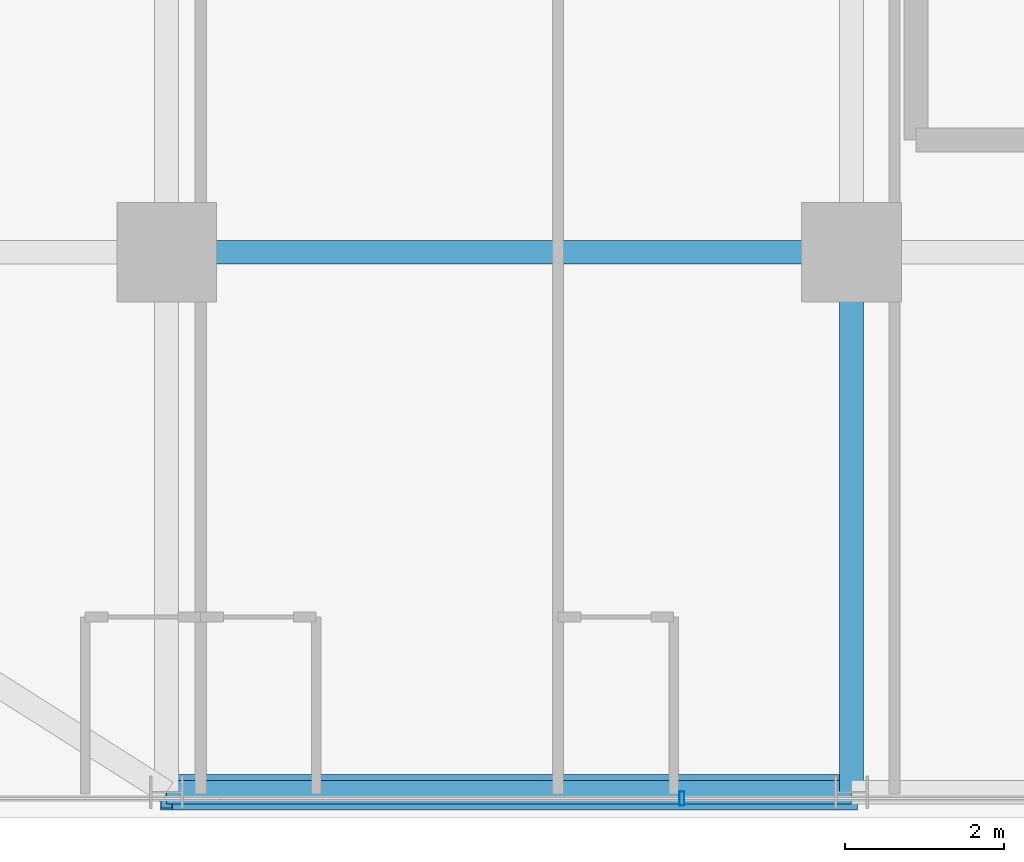
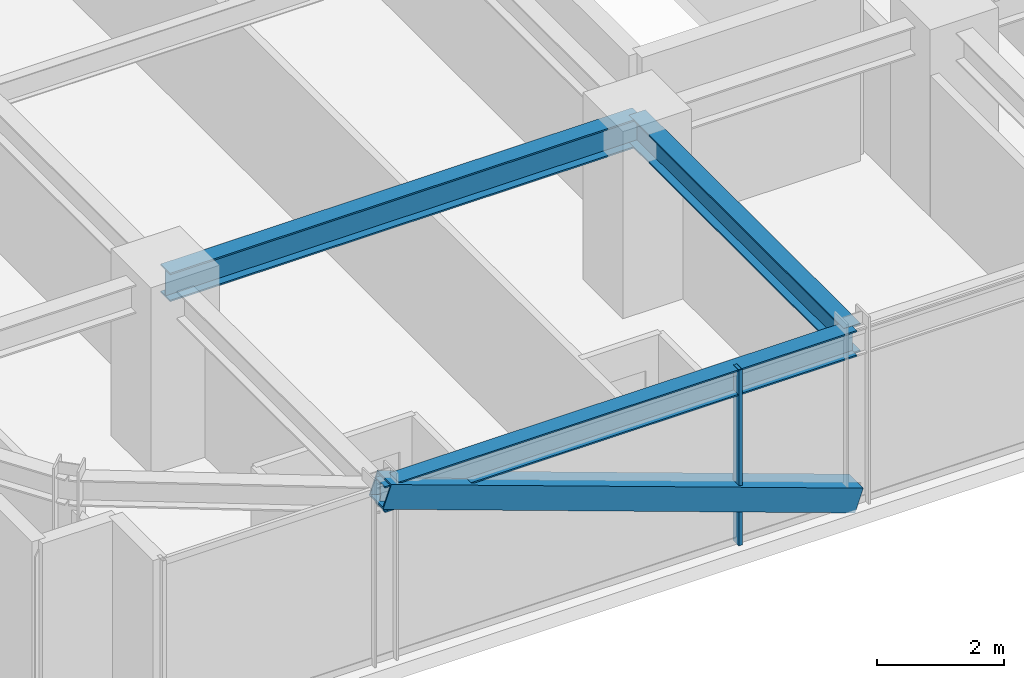
# One storey, part 3 of 41: 3 beams, 2 members, 1 element without a shape of its own.
"""IFC4 building model written with IfcOpenShell, lengths in metres."""

from ifc_helpers import new_model, si_unit, direction, frame, origin, origin_2d, place, context, subcontext, project, spatial, hollow_rectangle, i_section, extrude, source, transform, mapped, material, material_profile, profile_set, type_object, element, aggregate, save


model = new_model("IFC4")

# Units and contexts
model_context = context("Model", 3, precision=1e-05, world=origin(), true_north=direction((0.0, 1.0)))
body_context = subcontext(model_context, "Body", "Model", "MODEL_VIEW")
ifc_project = project(units=[si_unit("LENGTHUNIT", "METRE"), si_unit("AREAUNIT", "SQUARE_METRE"), si_unit("VOLUMEUNIT", "CUBIC_METRE"), si_unit("PLANEANGLEUNIT", "RADIAN"), si_unit("MASSUNIT", "GRAM", prefix="KILO")], contexts=[model_context])

# Site, building, storey
site_placement = place(None, origin())
site = spatial("IfcSite", under=ifc_project, at=site_placement, CompositionType="ELEMENT")
building_placement = place(site_placement, origin())
building = spatial("IfcBuilding", under=site, at=building_placement, Name="Nahalor Promenade Grand Hotel", CompositionType="ELEMENT")
storey_placement = place(building_placement, frame((0.0, 0.0, 113.85009765625)))
storey = spatial("IfcBuildingStorey", under=building, at=storey_placement, Name="L28", CompositionType="ELEMENT", Elevation=113.85009765625)

# Beams
ifc_material_1 = material(Name="Steel S355JR", Category="steel")
ifc_material_profile_1 = material_profile(ifc_material_1, i_section(OverallWidth=0.3, OverallDepth=0.5, WebThickness=0.0145, FlangeThickness=0.028, at=origin_2d()), Name="HEB 500")
ifc_profile_set_1 = profile_set([ifc_material_profile_1], Name="Steel S355JR")
beam_type_1 = type_object("IfcBeamType", Name="Beam-Spandrel-HEB500", PredefinedType="SPANDREL", material=ifc_profile_set_1)
shared_shape_1 = source(origin(), body_context, "Body", "SweptSolid", [
    extrude(i_section(OverallWidth=0.3, OverallDepth=0.5, WebThickness=0.0145, FlangeThickness=0.028, at=origin_2d()), origin(), (0.0, 0.0, 1.0), 8.60009765625),
])
beam_1_placement = place(storey_placement, frame((-17.0, -23.780029296875, 3.1298828125), z_axis=(1.0, 0.0, 0.0), x_axis=(0.0, 1.0, 0.0)))
element("IfcBeam", 1, at=beam_1_placement, inside=storey, type_object=beam_type_1, Name="BM-L28-SP-S-0", PredefinedType="SPANDREL", context=body_context, shape_type="MappedRepresentation", body=[
    mapped(shared_shape_1, transform((0.0, 0.0, 0.0), scale=1.0)),
])
ifc_material_profile_2 = material_profile(ifc_material_1, i_section(OverallWidth=0.3, OverallDepth=0.55, WebThickness=0.015, FlangeThickness=0.029, at=origin_2d()), Name="HEB 550")
ifc_profile_set_2 = profile_set([ifc_material_profile_2], Name="Steel S355JR")
beam_type_2 = type_object("IfcBeamType", Name="Beam-Girder-HEB550", PredefinedType="BEAM", material=ifc_profile_set_2)
shared_shape_2 = source(origin(), body_context, "Body", "SweptSolid", [
    extrude(i_section(OverallWidth=0.3, OverallDepth=0.55, WebThickness=0.015, FlangeThickness=0.029, at=origin_2d()), origin(), (0.0, 0.0, 1.0), 6.780029296875),
])
beam_2_placement = place(storey_placement, frame((-8.39990234375, -23.780029296875, 3.10498046875), z_axis=(0.0, 1.0, 0.0), x_axis=(-1.0, 0.0, 0.0)))
element("IfcBeam", 2, at=beam_2_placement, inside=storey, type_object=beam_type_2, Name="BM-L28-GY-1-0", PredefinedType="BEAM", context=body_context, shape_type="MappedRepresentation", body=[
    mapped(shared_shape_2, transform((0.0, 0.0, 0.0), scale=1.0)),
])
shared_shape_3 = source(origin(), body_context, "Body", "SweptSolid", [
    extrude(i_section(OverallWidth=0.3, OverallDepth=0.55, WebThickness=0.015, FlangeThickness=0.029, at=origin_2d()), origin(), (0.0, 0.0, 1.0), 8.60009765625),
])
beam_3_placement = place(storey_placement, frame((-17.0, -17.0, 3.10498046875), z_axis=(1.0, 0.0, 0.0), x_axis=(0.0, 1.0, 0.0)))
element("IfcBeam", 3, at=beam_3_placement, inside=storey, type_object=beam_type_2, Name="BM-L28-GX-0-1", PredefinedType="BEAM", context=body_context, shape_type="MappedRepresentation", body=[
    mapped(shared_shape_3, transform((0.0, 0.0, 0.0), scale=1.0)),
])

# Member
ifc_material_2 = material(Name="Steel S355J2", Category="steel")
ifc_material_profile_3 = material_profile(ifc_material_2, hollow_rectangle(XDim=0.45, YDim=0.45, WallThickness=0.025, at=origin_2d()), Name="SHS 450x450x25")
ifc_profile_set_3 = profile_set([ifc_material_profile_3], Name="Steel S355J2")
member_type_1 = type_object("IfcMemberType", Name="Mem-ExoBrace-SHS450", PredefinedType="BRACE", material=ifc_profile_set_3)
shared_shape_4 = source(origin(), body_context, "Body", "SweptSolid", [
    extrude(hollow_rectangle(XDim=0.45, YDim=0.45, WallThickness=0.025, at=origin_2d()), origin(), (0.0, 0.0, 1.0), 9.135009765625),
])
member_1_placement = place(storey_placement, frame((-8.39990234375, -23.780029296875, 0.14990234375), z_axis=(-0.941442840152, 0.0, 0.337172624521), x_axis=(0.0, -1.0, 0.0)))
element("IfcMember", 4, at=member_1_placement, inside=storey, type_object=member_type_1, Name="EXO-L28-S-0", PredefinedType="BRACE", context=body_context, shape_type="MappedRepresentation", body=[
    mapped(shared_shape_4, transform((0.0, 0.0, 0.0), scale=1.0)),
])

# Curtain wall, member
ifc_material_3 = material(Name="Anodised Bronze Aluminium EN AW-6063 T6", Category="aluminium")
curtain_wall_type = type_object("IfcCurtainWallType", Name="CW2 Typical Hotel Flush Bronze Unitised Curtain Wall", PredefinedType="USERDEFINED", material=ifc_material_3)
curtain_wall_placement = place(storey_placement, origin())
curtain_wall = element("IfcCurtainWall", 5, at=curtain_wall_placement, inside=storey, type_object=curtain_wall_type, Name="L28 Curtain Wall CW-L28-S-1", ObjectType="UNITISED_CURTAIN_WALL", PredefinedType="USERDEFINED")
ifc_material_profile_4 = material_profile(ifc_material_3, hollow_rectangle(XDim=0.065, YDim=0.18, WallThickness=0.004, at=origin_2d()), Name="CWM 65x180x4")
ifc_profile_set_4 = profile_set([ifc_material_profile_4], Name="Anodised Bronze Aluminium EN AW-6063 T6")
member_type_2 = type_object("IfcMemberType", Name="CWM2 Typical Bronze Mullion 65x180", PredefinedType="MULLION", material=ifc_profile_set_4)
shared_shape_5 = source(origin(), body_context, "Body", "SweptSolid", [
    extrude(hollow_rectangle(XDim=0.065, YDim=0.18, WallThickness=0.004, at=origin_2d()), origin(), (0.0, 0.0, 1.0), 3.3798828125),
])
member_2_placement = place(storey_placement, frame((-10.530029296875, -23.860107421875, 0.0), z_axis=(0.0, 0.0, 1.0), x_axis=(1.0, 0.0, 0.0)))
member_2 = element("IfcMember", 6, at=member_2_placement, type_object=member_type_2, Name="CW-L28-S-1 Mullion 1", PredefinedType="MULLION", context=body_context, shape_type="MappedRepresentation", body=[
    mapped(shared_shape_5, transform((0.0, 0.0, 0.0), scale=1.0)),
])
aggregate(curtain_wall, [member_2])

save(model, "model.ifc")
